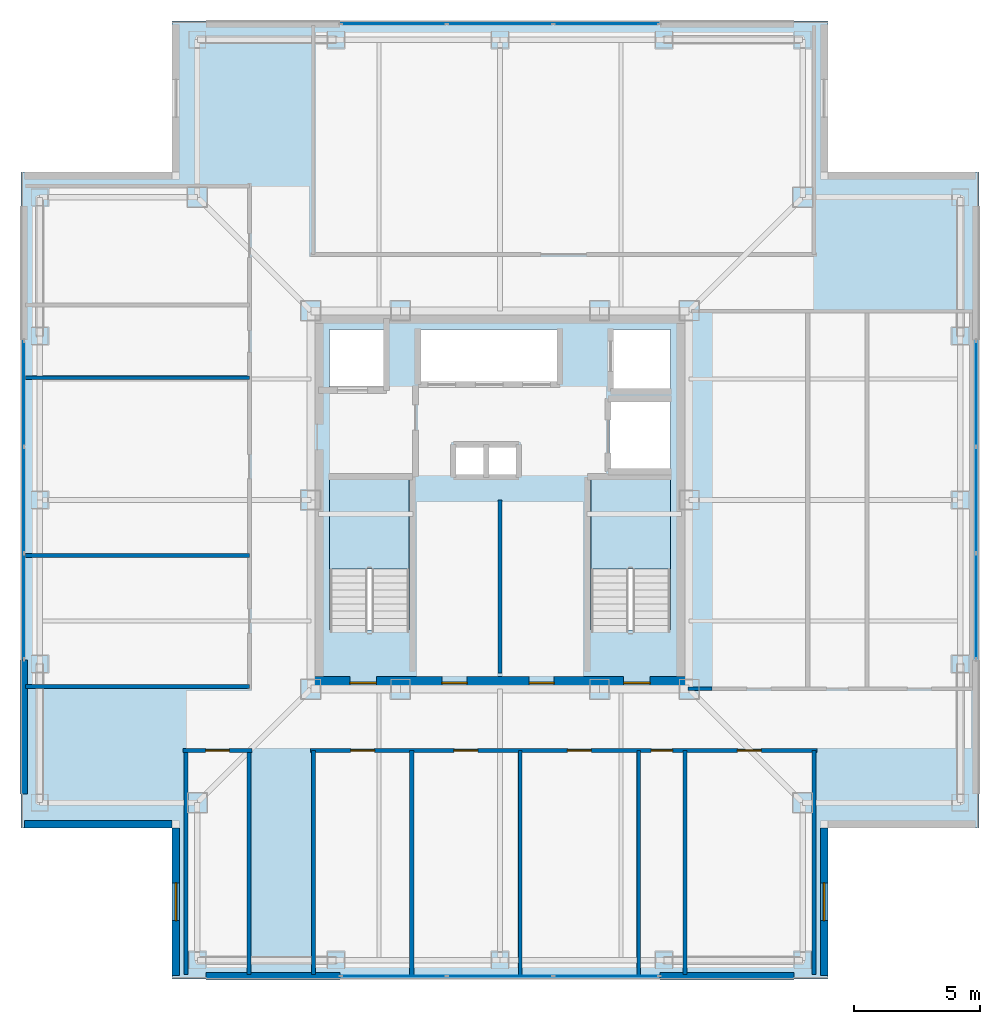
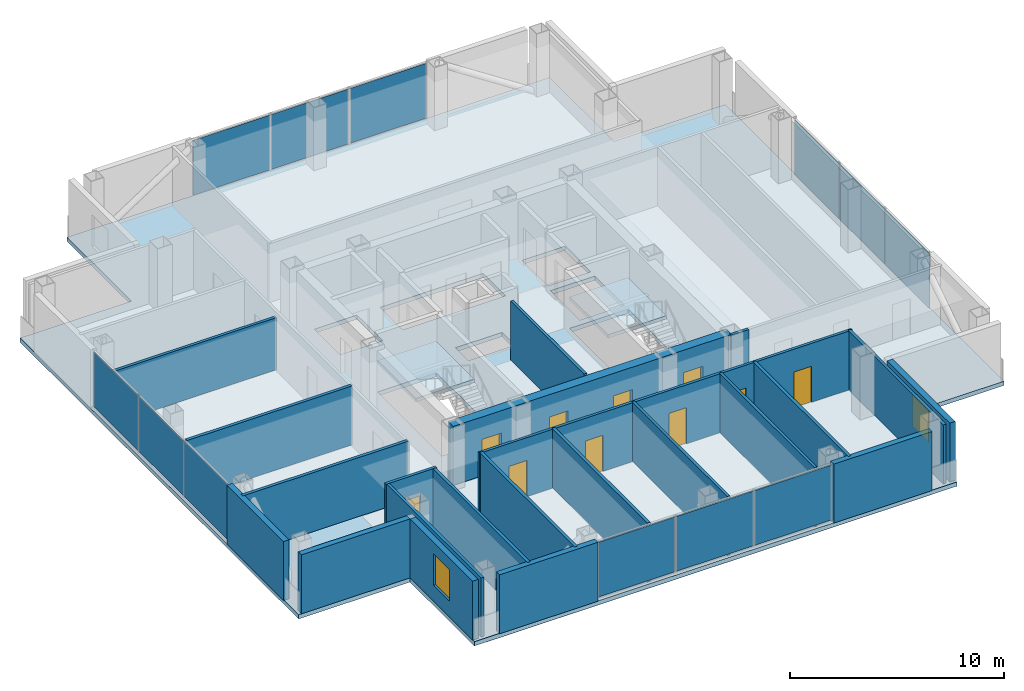
# One storey, part 8 of 16: 22 walls, 12 plates, 10 doors, 3 slabs, 2 windows, 12 openings, 6 elements without a shape of their own.
"""IFC4 building model written with IfcOpenShell, lengths in metres."""

from ifc_helpers import new_model, si_unit, direction, frame, frame_2d, origin, origin_2d, place, context, subcontext, project, spatial, polyline, rectangle, outline, extrude, material, layer, layer_set, type_object, element, fill, aggregate, save


model = new_model("IFC4")

# Units and contexts
model_context = context("Model", 3, precision=1e-05, world=origin(), true_north=direction((0.0, 1.0)))
body_context = subcontext(model_context, "Body", "Model", "MODEL_VIEW")
ifc_project = project(units=[si_unit("LENGTHUNIT", "METRE"), si_unit("AREAUNIT", "SQUARE_METRE"), si_unit("VOLUMEUNIT", "CUBIC_METRE"), si_unit("PLANEANGLEUNIT", "RADIAN"), si_unit("MASSUNIT", "GRAM", prefix="KILO")], contexts=[model_context])

# Site, building, storey
site_placement = place(None, origin())
site = spatial("IfcSite", under=ifc_project, at=site_placement, CompositionType="ELEMENT")
building_placement = place(site_placement, origin())
building = spatial("IfcBuilding", under=site, at=building_placement, Name="Trevonay Congress Spire", CompositionType="ELEMENT")
storey_placement = place(building_placement, frame((0.0, 0.0, 290.0)))
storey = spatial("IfcBuildingStorey", under=building, at=storey_placement, Name="L76", CompositionType="ELEMENT", Elevation=290.0)

# Curtain wall, plates
ifc_material_1 = material(Name="Pale Anodised Aluminium EN AW-6063-T6", Category="aluminium")
ifc_layer_1 = layer(ifc_material_1, 0.1650390625, Name="Pale Anodised Aluminium EN AW-6063-T6")
ifc_layer_set_1 = layer_set([ifc_layer_1], Name="Pale Anodised Aluminium EN AW-6063-T6")
curtain_wall_type = type_object("IfcCurtainWallType", Name="CW-SYS05-DIPLOM-PALE-METAL", PredefinedType="NOTDEFINED", material=ifc_layer_set_1)
curtain_wall_1_placement = place(storey_placement, origin())
curtain_wall_1 = element("IfcCurtainWall", 1, at=curtain_wall_1_placement, inside=storey, type_object=curtain_wall_type, Name="L76 S unitised curtain wall", PredefinedType="NOTDEFINED")
ifc_material_2 = material(Name="Insulated Low-E Vision Glass IGU", Category="glass")
ifc_layer_2 = layer(ifc_material_2, 0.035888671875, Name="Insulated Low-E Vision Glass IGU")
ifc_layer_set_2 = layer_set([ifc_layer_2], Name="Insulated Low-E Vision Glass IGU")
plate_type = type_object("IfcPlateType", Name="CW-PANEL-IGU36-SILVER", PredefinedType="CURTAIN_PANEL", material=ifc_layer_set_2)
plate_1_placement = place(storey_placement, frame((-4.21826171875, -18.8798828125, 0.119873046875), z_axis=(0.0, 0.0, 1.0), x_axis=(1.0, 0.0, 0.0)))
plate_1 = element("IfcPlate", 2, at=plate_1_placement, type_object=plate_type, Name="CW05 panel 1.1", PredefinedType="CURTAIN_PANEL", context=body_context, shape_type="SweptSolid", body=[
    extrude(rectangle(XDim=4.143310546875, YDim=0.035888671875, at=origin_2d()), origin(), (0.0, 0.0, 1.0), 3.1201171875),
])
plate_2_placement = place(storey_placement, frame((0.0, -18.8798828125, 0.119873046875), z_axis=(0.0, 0.0, 1.0), x_axis=(1.0, 0.0, 0.0)))
plate_2 = element("IfcPlate", 3, at=plate_2_placement, type_object=plate_type, Name="CW05 panel 2.1", PredefinedType="CURTAIN_PANEL", context=body_context, shape_type="SweptSolid", body=[
    extrude(rectangle(XDim=4.17333984375, YDim=0.035888671875, at=origin_2d()), origin(), (0.0, 0.0, 1.0), 3.1201171875),
])
plate_3_placement = place(storey_placement, frame((4.21826171875, -18.8798828125, 0.119873046875), z_axis=(0.0, 0.0, 1.0), x_axis=(1.0, 0.0, 0.0)))
plate_3 = element("IfcPlate", 4, at=plate_3_placement, type_object=plate_type, Name="CW05 panel 3.1", PredefinedType="CURTAIN_PANEL", context=body_context, shape_type="SweptSolid", body=[
    extrude(rectangle(XDim=4.143310546875, YDim=0.035888671875, at=origin_2d()), origin(), (0.0, 0.0, 1.0), 3.1201171875),
])
aggregate(curtain_wall_1, [plate_1, plate_2, plate_3])

curtain_wall_2_placement = place(storey_placement, origin())
curtain_wall_2 = element("IfcCurtainWall", 5, at=curtain_wall_2_placement, inside=storey, type_object=curtain_wall_type, Name="L76 N unitised curtain wall", PredefinedType="NOTDEFINED")
plate_4_placement = place(storey_placement, frame((-4.21826171875, 18.8798828125, 0.119873046875), z_axis=(0.0, 0.0, 1.0), x_axis=(1.0, 0.0, 0.0)))
plate_4 = element("IfcPlate", 6, at=plate_4_placement, type_object=plate_type, Name="CW05 panel 1.1", PredefinedType="CURTAIN_PANEL", context=body_context, shape_type="SweptSolid", body=[
    extrude(rectangle(XDim=4.143310546875, YDim=0.035888671875, at=origin_2d()), origin(), (0.0, 0.0, 1.0), 3.1201171875),
])
plate_5_placement = place(storey_placement, frame((0.0, 18.8798828125, 0.119873046875), z_axis=(0.0, 0.0, 1.0), x_axis=(1.0, 0.0, 0.0)))
plate_5 = element("IfcPlate", 7, at=plate_5_placement, type_object=plate_type, Name="CW05 panel 2.1", PredefinedType="CURTAIN_PANEL", context=body_context, shape_type="SweptSolid", body=[
    extrude(rectangle(XDim=4.17333984375, YDim=0.035888671875, at=origin_2d()), origin(), (0.0, 0.0, 1.0), 3.1201171875),
])
plate_6_placement = place(storey_placement, frame((4.21826171875, 18.8798828125, 0.119873046875), z_axis=(0.0, 0.0, 1.0), x_axis=(1.0, 0.0, 0.0)))
plate_6 = element("IfcPlate", 8, at=plate_6_placement, type_object=plate_type, Name="CW05 panel 3.1", PredefinedType="CURTAIN_PANEL", context=body_context, shape_type="SweptSolid", body=[
    extrude(rectangle(XDim=4.143310546875, YDim=0.035888671875, at=origin_2d()), origin(), (0.0, 0.0, 1.0), 3.1201171875),
])
aggregate(curtain_wall_2, [plate_4, plate_5, plate_6])

curtain_wall_3_placement = place(storey_placement, origin())
curtain_wall_3 = element("IfcCurtainWall", 9, at=curtain_wall_3_placement, inside=storey, type_object=curtain_wall_type, Name="L76 W unitised curtain wall", PredefinedType="NOTDEFINED")
plate_7_placement = place(storey_placement, frame((-18.8798828125, -4.21826171875, 0.119873046875), z_axis=(0.0, 0.0, 1.0), x_axis=(0.0, 1.0, 0.0)))
plate_7 = element("IfcPlate", 10, at=plate_7_placement, type_object=plate_type, Name="CW05 panel 1.1", PredefinedType="CURTAIN_PANEL", context=body_context, shape_type="SweptSolid", body=[
    extrude(rectangle(XDim=4.143310546875, YDim=0.035888671875, at=origin_2d()), origin(), (0.0, 0.0, 1.0), 3.1201171875),
])
plate_8_placement = place(storey_placement, frame((-18.8798828125, 0.0, 0.119873046875), z_axis=(0.0, 0.0, 1.0), x_axis=(0.0, 1.0, 0.0)))
plate_8 = element("IfcPlate", 11, at=plate_8_placement, type_object=plate_type, Name="CW05 panel 2.1", PredefinedType="CURTAIN_PANEL", context=body_context, shape_type="SweptSolid", body=[
    extrude(rectangle(XDim=4.17333984375, YDim=0.035888671875, at=origin_2d()), origin(), (0.0, 0.0, 1.0), 3.1201171875),
])
plate_9_placement = place(storey_placement, frame((-18.8798828125, 4.21826171875, 0.119873046875), z_axis=(0.0, 0.0, 1.0), x_axis=(0.0, 1.0, 0.0)))
plate_9 = element("IfcPlate", 12, at=plate_9_placement, type_object=plate_type, Name="CW05 panel 3.1", PredefinedType="CURTAIN_PANEL", context=body_context, shape_type="SweptSolid", body=[
    extrude(rectangle(XDim=4.143310546875, YDim=0.035888671875, at=origin_2d()), origin(), (0.0, 0.0, 1.0), 3.1201171875),
])
aggregate(curtain_wall_3, [plate_7, plate_8, plate_9])

curtain_wall_4_placement = place(storey_placement, origin())
curtain_wall_4 = element("IfcCurtainWall", 13, at=curtain_wall_4_placement, inside=storey, type_object=curtain_wall_type, Name="L76 E unitised curtain wall", PredefinedType="NOTDEFINED")
plate_10_placement = place(storey_placement, frame((18.8798828125, -4.21826171875, 0.119873046875), z_axis=(0.0, 0.0, 1.0), x_axis=(0.0, 1.0, 0.0)))
plate_10 = element("IfcPlate", 14, at=plate_10_placement, type_object=plate_type, Name="CW05 panel 1.1", PredefinedType="CURTAIN_PANEL", context=body_context, shape_type="SweptSolid", body=[
    extrude(rectangle(XDim=4.143310546875, YDim=0.035888671875, at=origin_2d()), origin(), (0.0, 0.0, 1.0), 3.1201171875),
])
plate_11_placement = place(storey_placement, frame((18.8798828125, 0.0, 0.119873046875), z_axis=(0.0, 0.0, 1.0), x_axis=(0.0, 1.0, 0.0)))
plate_11 = element("IfcPlate", 15, at=plate_11_placement, type_object=plate_type, Name="CW05 panel 2.1", PredefinedType="CURTAIN_PANEL", context=body_context, shape_type="SweptSolid", body=[
    extrude(rectangle(XDim=4.17333984375, YDim=0.035888671875, at=origin_2d()), origin(), (0.0, 0.0, 1.0), 3.1201171875),
])
plate_12_placement = place(storey_placement, frame((18.8798828125, 4.21826171875, 0.119873046875), z_axis=(0.0, 0.0, 1.0), x_axis=(0.0, 1.0, 0.0)))
plate_12 = element("IfcPlate", 16, at=plate_12_placement, type_object=plate_type, Name="CW05 panel 3.1", PredefinedType="CURTAIN_PANEL", context=body_context, shape_type="SweptSolid", body=[
    extrude(rectangle(XDim=4.143310546875, YDim=0.035888671875, at=origin_2d()), origin(), (0.0, 0.0, 1.0), 3.1201171875),
])
aggregate(curtain_wall_4, [plate_10, plate_11, plate_12])

# Stair, slab
ifc_material_3 = material(Name="Concrete C40/50", Category="concrete")
stair_type_1 = type_object("IfcStairType", Name="STR-ST-1", PredefinedType="HALF_TURN_STAIR", material=ifc_material_3)
stair_1_placement = place(storey_placement, origin())
stair_1 = element("IfcStair", 17, at=stair_1_placement, inside=storey, type_object=stair_type_1, Name="L76 Protected Exit Stair ST-1", PredefinedType="HALF_TURN_STAIR")
ifc_layer_3 = layer(ifc_material_3, 0.199951171875, Name="Concrete C40/50")
ifc_layer_set_3 = layer_set([ifc_layer_3], Name="Concrete C40/50")
slab_type_1 = type_object("IfcSlabType", Name="SLB-STAIR-LAND-200", PredefinedType="LANDING", material=ifc_layer_set_3)
slab_1_placement = place(storey_placement, frame((0.0, 0.0, 1.60009765625)))
slab_1 = element("IfcSlab", 18, at=slab_1_placement, type_object=slab_type_1, Name="ST-1 landing 1", PredefinedType="LANDING", context=body_context, shape_type="SweptSolid", body=[
    extrude(outline(polyline([(-3.60009765625, -2.72998046875), (-3.60009765625, 0.85009765625), (-6.75, 0.85009765625), (-6.75, -2.72998046875), (-3.60009765625, -2.72998046875)])), origin(), (0.0, 0.0, 1.0), 0.199951171875),
])
aggregate(stair_1, [slab_1])

stair_type_2 = type_object("IfcStairType", Name="STR-ST-2", PredefinedType="HALF_TURN_STAIR", material=ifc_material_3)
stair_2_placement = place(storey_placement, origin())
stair_2 = element("IfcStair", 19, at=stair_2_placement, inside=storey, type_object=stair_type_2, Name="L76 Protected Exit Stair ST-2", PredefinedType="HALF_TURN_STAIR")
slab_2_placement = place(storey_placement, frame((0.0, 0.0, 1.60009765625)))
slab_2 = element("IfcSlab", 20, at=slab_2_placement, type_object=slab_type_1, Name="ST-2 landing 1", PredefinedType="LANDING", context=body_context, shape_type="SweptSolid", body=[
    extrude(outline(polyline([(6.75, -2.72998046875), (6.75, 0.85009765625), (3.60009765625, 0.85009765625), (3.60009765625, -2.72998046875), (6.75, -2.72998046875)])), origin(), (0.0, 0.0, 1.0), 0.199951171875),
])
aggregate(stair_2, [slab_2])

# Slab
ifc_layer_4 = layer(ifc_material_3, 0.239990234375, Name="Concrete C40/50")
ifc_layer_set_4 = layer_set([ifc_layer_4], Name="Concrete C40/50")
slab_type_2 = type_object("IfcSlabType", Name="SLB-TOW2-240", PredefinedType="FLOOR", material=ifc_layer_set_4)
slab_3_placement = place(storey_placement, frame((0.0, 0.0, -0.239990234375)))
element("IfcSlab", 21, at=slab_3_placement, inside=storey, type_object=slab_type_2, Name="L76 structural floor slab", PredefinedType="FLOOR", context=body_context, shape_type="SweptSolid", body=[
    extrude(outline(polyline([(-13.0, -19.0), (13.0, -19.0), (13.0, -13.0), (19.0, -13.0), (19.0, 13.0), (13.0, 13.0), (13.0, 19.0), (-13.0, 19.0), (-13.0, 13.0), (-19.0, 13.0), (-19.0, -13.0), (-13.0, -13.0), (-13.0, -19.0)]), holes=[polyline([(-3.60009765625, -5.14990234375), (-3.60009765625, 0.85009765625), (-6.75, 0.85009765625), (-6.75, -5.14990234375), (-3.60009765625, -5.14990234375)]), polyline([(6.75, -5.14990234375), (6.75, 0.85009765625), (3.60009765625, 0.85009765625), (3.60009765625, -5.14990234375), (6.75, -5.14990234375)]), polyline([(-3.199951171875, 4.64990234375), (2.340087890625, 4.64990234375), (2.340087890625, 6.75), (-3.199951171875, 6.75), (-3.199951171875, 4.64990234375)]), polyline([(-6.75, 4.35009765625), (-4.449951171875, 4.35009765625), (-4.449951171875, 6.75), (-6.75, 6.75), (-6.75, 4.35009765625)]), polyline([(4.449951171875, 4.35009765625), (6.75, 4.35009765625), (6.75, 6.75), (4.449951171875, 6.75), (4.449951171875, 4.35009765625)]), polyline([(4.35009765625, 1.199951171875), (6.75, 1.199951171875), (6.75, 3.949951171875), (4.35009765625, 3.949951171875), (4.35009765625, 1.199951171875)]), polyline([(-1.800048828125, 0.949951171875), (0.699951171875, 0.949951171875), (0.699951171875, 2.14990234375), (-1.800048828125, 2.14990234375), (-1.800048828125, 0.949951171875)])]), origin(), (0.0, 0.0, 1.0), 0.239990234375),
])

# Wall, openings, doors
ifc_material_4 = material(Name="Concrete C50/60", Category="concrete")
ifc_layer_5 = layer(ifc_material_4, 0.5, Name="Concrete C50/60")
ifc_layer_set_5 = layer_set([ifc_layer_5], Name="Concrete C50/60")
wall_type_1 = type_object("IfcWallType", Name="WAL-CORE-500", PredefinedType="SHEAR", material=ifc_layer_set_5)
wall_1_placement = place(storey_placement, frame((-7.5, -7.25, 0.0), z_axis=(0.0, 0.0, 1.0), x_axis=(1.0, 0.0, 0.0)))
wall_1 = element("IfcWall", 22, at=wall_1_placement, inside=storey, type_object=wall_type_1, Name="L76 South structural core shear wall", PredefinedType="SHEAR", context=body_context, shape_type="SweptSolid", body=[
    extrude(rectangle(XDim=15.0, YDim=0.5, at=frame_2d((7.5, 0.0))), origin(), (0.0, 0.0, 1.0), 3.360107421875),
])
opening_1_placement = place(wall_1_placement, frame((1.550048828125, 0.0, 0.0)))
opening_1 = element("IfcOpeningElement", 23, at=opening_1_placement, cuts=wall_1, Name="Opening D05", PredefinedType="OPENING", context=body_context, shape_type="SweptSolid", body=[
    extrude(rectangle(XDim=1.050048828125, YDim=2.080078125, at=frame_2d((0.52490234375, 1.0400390625))), frame((0.0, 0.260009765625, 0.0), z_axis=(0.0, -1.0, 0.0), x_axis=(1.0, 0.0, 0.0)), (0.0, 0.0, 1.0), 0.52001953125),
])
opening_2_placement = place(wall_1_placement, frame((12.39990234375, 0.0, 0.0)))
opening_2 = element("IfcOpeningElement", 24, at=opening_2_placement, cuts=wall_1, Name="Opening D05", PredefinedType="OPENING", context=body_context, shape_type="SweptSolid", body=[
    extrude(rectangle(XDim=1.050048828125, YDim=2.080078125, at=frame_2d((0.52490234375, 1.0400390625))), frame((0.0, 0.260009765625, 0.0), z_axis=(0.0, -1.0, 0.0), x_axis=(1.0, 0.0, 0.0)), (0.0, 0.0, 1.0), 0.52001953125),
])
opening_3_placement = place(wall_1_placement, frame((5.199951171875, 0.0, 0.0)))
opening_3 = element("IfcOpeningElement", 25, at=opening_3_placement, cuts=wall_1, Name="Opening D06", PredefinedType="OPENING", context=body_context, shape_type="SweptSolid", body=[
    extrude(rectangle(XDim=1.0, YDim=2.080078125, at=frame_2d((0.5, 1.0400390625))), frame((0.0, 0.260009765625, 0.0), z_axis=(0.0, -1.0, 0.0), x_axis=(1.0, 0.0, 0.0)), (0.0, 0.0, 1.0), 0.52001953125),
])
opening_4_placement = place(wall_1_placement, frame((8.64990234375, 0.0, 0.0)))
opening_4 = element("IfcOpeningElement", 26, at=opening_4_placement, cuts=wall_1, Name="Opening D06", PredefinedType="OPENING", context=body_context, shape_type="SweptSolid", body=[
    extrude(rectangle(XDim=1.0, YDim=2.080078125, at=frame_2d((0.5, 1.0400390625))), frame((0.0, 0.260009765625, 0.0), z_axis=(0.0, -1.0, 0.0), x_axis=(1.0, 0.0, 0.0)), (0.0, 0.0, 1.0), 0.52001953125),
])
ifc_material_5 = material(Name="Steel ASTM A572 Grade 50", Category="steel")
door_type_1 = type_object("IfcDoorType", Name="DOR-FIRE-100", OperationType="NOTDEFINED", PredefinedType="DOOR", material=ifc_material_5)
door_1_placement = place(opening_3_placement, origin())
door_1 = element("IfcDoor", 27, at=door_1_placement, inside=storey, type_object=door_type_1, Name="L76 South Core Room 1 Door", OperationType="SINGLE_SWING_RIGHT", OverallHeight=2.080078125, OverallWidth=1.0, PredefinedType="DOOR", context=body_context, shape_type="SweptSolid", body=[
    extrude(rectangle(XDim=1.0, YDim=2.080078125, at=frame_2d((0.5, 1.0400390625))), frame((0.0, 0.02490234375, 0.0), z_axis=(0.0, -1.0, 0.0), x_axis=(1.0, 0.0, 0.0)), (0.0, 0.0, 1.0), 0.050048828125),
])
fill(opening_3, door_1)
door_2_placement = place(opening_4_placement, origin())
door_2 = element("IfcDoor", 28, at=door_2_placement, inside=storey, type_object=door_type_1, Name="L76 South Core Room 2 Door", OperationType="SINGLE_SWING_LEFT", OverallHeight=2.080078125, OverallWidth=1.0, PredefinedType="DOOR", context=body_context, shape_type="SweptSolid", body=[
    extrude(rectangle(XDim=1.0, YDim=2.080078125, at=frame_2d((0.5, 1.0400390625))), frame((0.0, 0.02490234375, 0.0), z_axis=(0.0, -1.0, 0.0), x_axis=(1.0, 0.0, 0.0)), (0.0, 0.0, 1.0), 0.050048828125),
])
fill(opening_4, door_2)
door_type_2 = type_object("IfcDoorType", Name="DOR-STAIR-110", OperationType="NOTDEFINED", PredefinedType="DOOR", material=ifc_material_5)
door_3_placement = place(opening_1_placement, origin())
door_3 = element("IfcDoor", 29, at=door_3_placement, inside=storey, type_object=door_type_2, Name="L76 Protected Stair ST-1 Door", OperationType="SINGLE_SWING_LEFT", OverallHeight=2.080078125, OverallWidth=1.050048828125, PredefinedType="DOOR", context=body_context, shape_type="SweptSolid", body=[
    extrude(rectangle(XDim=1.050048828125, YDim=2.080078125, at=frame_2d((0.52490234375, 1.0400390625))), frame((0.0, 0.02490234375, 0.0), z_axis=(0.0, -1.0, 0.0), x_axis=(1.0, 0.0, 0.0)), (0.0, 0.0, 1.0), 0.050048828125),
])
fill(opening_1, door_3)
door_4_placement = place(opening_2_placement, origin())
door_4 = element("IfcDoor", 30, at=door_4_placement, inside=storey, type_object=door_type_2, Name="L76 Protected Stair ST-2 Door", OperationType="SINGLE_SWING_RIGHT", OverallHeight=2.080078125, OverallWidth=1.050048828125, PredefinedType="DOOR", context=body_context, shape_type="SweptSolid", body=[
    extrude(rectangle(XDim=1.050048828125, YDim=2.080078125, at=frame_2d((0.52490234375, 1.0400390625))), frame((0.0, 0.02490234375, 0.0), z_axis=(0.0, -1.0, 0.0), x_axis=(1.0, 0.0, 0.0)), (0.0, 0.0, 1.0), 0.050048828125),
])
fill(opening_2, door_4)

# Wall, opening, door
ifc_layer_6 = layer(ifc_material_3, 0.14990234375, Name="Concrete C40/50")
ifc_layer_set_6 = layer_set([ifc_layer_6], Name="Concrete C40/50")
wall_type_2 = type_object("IfcWallType", Name="WAL-CORR-150", PredefinedType="PARTITIONING", material=ifc_layer_set_6)
wall_2_placement = place(storey_placement, frame((-12.570068359375, -9.929931640625, 0.0), z_axis=(0.0, 0.0, 1.0), x_axis=(1.0, 0.0, 0.0)))
wall_2 = element("IfcWall", 31, at=wall_2_placement, inside=storey, type_object=wall_type_2, Name="L76 interior wall WP-L76SW-COR", PredefinedType="PARTITIONING", context=body_context, shape_type="SweptSolid", body=[
    extrude(rectangle(XDim=2.739990234375, YDim=0.14990234375, at=frame_2d((1.3701171875, 0.0))), origin(), (0.0, 0.0, 1.0), 3.360107421875),
])
opening_5_placement = place(wall_2_placement, frame((0.89501953125, 0.0, 0.0)))
opening_5 = element("IfcOpeningElement", 32, at=opening_5_placement, cuts=wall_2, Name="Opening D07", PredefinedType="OPENING", context=body_context, shape_type="SweptSolid", body=[
    extrude(rectangle(XDim=0.949951171875, YDim=2.06005859375, at=frame_2d((0.47509765625, 1.030029296875))), frame((0.0, 0.0849609375, 0.0), z_axis=(0.0, -1.0, 0.0), x_axis=(1.0, 0.0, 0.0)), (0.0, 0.0, 1.0), 0.169921875),
])
door_type_3 = type_object("IfcDoorType", Name="DOR-OFFICE-95", OperationType="NOTDEFINED", PredefinedType="DOOR", material=ifc_material_1)
door_5_placement = place(opening_5_placement, origin())
door_5 = element("IfcDoor", 33, at=door_5_placement, inside=storey, type_object=door_type_3, Name="L76 Forum Director Corner Office Door", OperationType="SINGLE_SWING_LEFT", OverallHeight=2.06005859375, OverallWidth=0.949951171875, PredefinedType="DOOR", context=body_context, shape_type="SweptSolid", body=[
    extrude(rectangle(XDim=0.949951171875, YDim=2.06005859375, at=frame_2d((0.47509765625, 1.030029296875))), frame((0.0, 0.02490234375, 0.0), z_axis=(0.0, -1.0, 0.0), x_axis=(1.0, 0.0, 0.0)), (0.0, 0.0, 1.0), 0.050048828125),
])
fill(opening_5, door_5)

# Wall, openings, doors
wall_3_placement = place(storey_placement, frame((-7.52001953125, -9.929931640625, 0.0), z_axis=(0.0, 0.0, 1.0), x_axis=(1.0, 0.0, 0.0)))
wall_3 = element("IfcWall", 34, at=wall_3_placement, inside=storey, type_object=wall_type_2, Name="L76 interior wall WP-L76SE-COR", PredefinedType="PARTITIONING", context=body_context, shape_type="SweptSolid", body=[
    extrude(rectangle(XDim=20.090087890625, YDim=0.14990234375, at=frame_2d((10.044921875, 0.0))), origin(), (0.0, 0.0, 1.0), 3.360107421875),
])
opening_6_placement = place(wall_3_placement, frame((1.594970703125, 0.0, 0.0)))
opening_6 = element("IfcOpeningElement", 35, at=opening_6_placement, cuts=wall_3, Name="Opening D07", PredefinedType="OPENING", context=body_context, shape_type="SweptSolid", body=[
    extrude(rectangle(XDim=0.949951171875, YDim=2.06005859375, at=frame_2d((0.47509765625, 1.030029296875))), frame((0.0, 0.0849609375, 0.0), z_axis=(0.0, -1.0, 0.0), x_axis=(1.0, 0.0, 0.0)), (0.0, 0.0, 1.0), 0.169921875),
])
opening_7_placement = place(wall_3_placement, frame((5.695068359375, 0.0, 0.0)))
opening_7 = element("IfcOpeningElement", 36, at=opening_7_placement, cuts=wall_3, Name="Opening D07", PredefinedType="OPENING", context=body_context, shape_type="SweptSolid", body=[
    extrude(rectangle(XDim=0.949951171875, YDim=2.06005859375, at=frame_2d((0.47509765625, 1.030029296875))), frame((0.0, 0.0849609375, 0.0), z_axis=(0.0, -1.0, 0.0), x_axis=(1.0, 0.0, 0.0)), (0.0, 0.0, 1.0), 0.169921875),
])
opening_8_placement = place(wall_3_placement, frame((10.195068359375, 0.0, 0.0)))
opening_8 = element("IfcOpeningElement", 37, at=opening_8_placement, cuts=wall_3, Name="Opening D07", PredefinedType="OPENING", context=body_context, shape_type="SweptSolid", body=[
    extrude(rectangle(XDim=0.949951171875, YDim=2.06005859375, at=frame_2d((0.47509765625, 1.030029296875))), frame((0.0, 0.0849609375, 0.0), z_axis=(0.0, -1.0, 0.0), x_axis=(1.0, 0.0, 0.0)), (0.0, 0.0, 1.0), 0.169921875),
])
opening_9_placement = place(wall_3_placement, frame((13.510009765625, 0.0, 0.0)))
opening_9 = element("IfcOpeningElement", 38, at=opening_9_placement, cuts=wall_3, Name="Opening D10", PredefinedType="OPENING", context=body_context, shape_type="SweptSolid", body=[
    extrude(rectangle(XDim=0.85009765625, YDim=2.050048828125, at=frame_2d((0.425048828125, 1.02490234375))), frame((0.0, 0.0849609375, 0.0), z_axis=(0.0, -1.0, 0.0), x_axis=(1.0, 0.0, 0.0)), (0.0, 0.0, 1.0), 0.169921875),
])
opening_10_placement = place(wall_3_placement, frame((16.93505859375, 0.0, 0.0)))
opening_10 = element("IfcOpeningElement", 39, at=opening_10_placement, cuts=wall_3, Name="Opening D07", PredefinedType="OPENING", context=body_context, shape_type="SweptSolid", body=[
    extrude(rectangle(XDim=0.949951171875, YDim=2.06005859375, at=frame_2d((0.47509765625, 1.030029296875))), frame((0.0, 0.0849609375, 0.0), z_axis=(0.0, -1.0, 0.0), x_axis=(1.0, 0.0, 0.0)), (0.0, 0.0, 1.0), 0.169921875),
])
door_6_placement = place(opening_6_placement, origin())
door_6 = element("IfcDoor", 40, at=door_6_placement, inside=storey, type_object=door_type_3, Name="L76 Ocean Engineering Office 1 Door", OperationType="SINGLE_SWING_RIGHT", OverallHeight=2.06005859375, OverallWidth=0.949951171875, PredefinedType="DOOR", context=body_context, shape_type="SweptSolid", body=[
    extrude(rectangle(XDim=0.949951171875, YDim=2.06005859375, at=frame_2d((0.47509765625, 1.030029296875))), frame((0.0, 0.02490234375, 0.0), z_axis=(0.0, -1.0, 0.0), x_axis=(1.0, 0.0, 0.0)), (0.0, 0.0, 1.0), 0.050048828125),
])
fill(opening_6, door_6)
door_7_placement = place(opening_7_placement, origin())
door_7 = element("IfcDoor", 41, at=door_7_placement, inside=storey, type_object=door_type_3, Name="L76 Naval Architecture Office 2 Door", OperationType="SINGLE_SWING_LEFT", OverallHeight=2.06005859375, OverallWidth=0.949951171875, PredefinedType="DOOR", context=body_context, shape_type="SweptSolid", body=[
    extrude(rectangle(XDim=0.949951171875, YDim=2.06005859375, at=frame_2d((0.47509765625, 1.030029296875))), frame((0.0, 0.02490234375, 0.0), z_axis=(0.0, -1.0, 0.0), x_axis=(1.0, 0.0, 0.0)), (0.0, 0.0, 1.0), 0.050048828125),
])
fill(opening_7, door_7)
door_8_placement = place(opening_8_placement, origin())
door_8 = element("IfcDoor", 42, at=door_8_placement, inside=storey, type_object=door_type_3, Name="L76 Port Automation Office 3 Door", OperationType="SINGLE_SWING_RIGHT", OverallHeight=2.06005859375, OverallWidth=0.949951171875, PredefinedType="DOOR", context=body_context, shape_type="SweptSolid", body=[
    extrude(rectangle(XDim=0.949951171875, YDim=2.06005859375, at=frame_2d((0.47509765625, 1.030029296875))), frame((0.0, 0.02490234375, 0.0), z_axis=(0.0, -1.0, 0.0), x_axis=(1.0, 0.0, 0.0)), (0.0, 0.0, 1.0), 0.050048828125),
])
fill(opening_8, door_8)
door_9_placement = place(opening_10_placement, origin())
door_9 = element("IfcDoor", 43, at=door_9_placement, inside=storey, type_object=door_type_3, Name="L76 Floor Supplies and Copy Room Door", OperationType="SINGLE_SWING_RIGHT", OverallHeight=2.06005859375, OverallWidth=0.949951171875, PredefinedType="DOOR", context=body_context, shape_type="SweptSolid", body=[
    extrude(rectangle(XDim=0.949951171875, YDim=2.06005859375, at=frame_2d((0.47509765625, 1.030029296875))), frame((0.0, 0.02490234375, 0.0), z_axis=(0.0, -1.0, 0.0), x_axis=(1.0, 0.0, 0.0)), (0.0, 0.0, 1.0), 0.050048828125),
])
fill(opening_10, door_9)
door_type_4 = type_object("IfcDoorType", Name="DOR-WC-85", OperationType="NOTDEFINED", PredefinedType="DOOR", material=ifc_material_1)
door_10_placement = place(opening_9_placement, origin())
door_10 = element("IfcDoor", 44, at=door_10_placement, inside=storey, type_object=door_type_4, Name="L76 Accessible WC Door", OperationType="SINGLE_SWING_LEFT", OverallHeight=2.050048828125, OverallWidth=0.85009765625, PredefinedType="DOOR", context=body_context, shape_type="SweptSolid", body=[
    extrude(rectangle(XDim=0.85009765625, YDim=2.050048828125, at=frame_2d((0.425048828125, 1.02490234375))), frame((0.0, 0.02490234375, 0.0), z_axis=(0.0, -1.0, 0.0), x_axis=(1.0, 0.0, 0.0)), (0.0, 0.0, 1.0), 0.050048828125),
])
fill(opening_9, door_10)

# Walls
wall_4_placement = place(storey_placement, frame((7.449951171875, -7.47998046875, 0.0), z_axis=(0.0, 0.0, 1.0), x_axis=(1.0, 0.0, 0.0)))
element("IfcWall", 45, at=wall_4_placement, inside=storey, type_object=wall_type_2, Name="L76 interior wall WP-L76E-STUB", PredefinedType="PARTITIONING", context=body_context, shape_type="SweptSolid", body=[
    extrude(rectangle(XDim=0.949951171875, YDim=0.14990234375, at=frame_2d((0.47509765625, 0.0))), origin(), (0.0, 0.0, 1.0), 3.360107421875),
])
ifc_material_6 = material(Name="Precast concrete C40/50", Category="concrete")
ifc_layer_7 = layer(ifc_material_6, 0.300048828125, Name="Precast concrete C40/50")
ifc_layer_set_7 = layer_set([ifc_layer_7], Name="Precast concrete C40/50")
wall_type_3 = type_object("IfcWallType", Name="WAL-EXT-PRECAST-300", PredefinedType="SOLIDWALL", material=ifc_layer_set_7)
for number, where, z_axis, x_axis, name in (
    (46, (-11.64990234375, -18.8798828125, 0.0), (0.0, 0.0, 1.0), (1.0, 0.0, 0.0), "L76 SL braced-bay exterior pier wall"),
    (47, (6.35009765625, -18.8798828125, 0.0), (0.0, 0.0, 1.0), (1.0, 0.0, 0.0), "L76 SR braced-bay exterior pier wall"),
    (48, (-18.8798828125, -11.64990234375, 0.0), (0.0, 0.0, 1.0), (0.0, 1.0, 0.0), "L76 WL braced-bay exterior pier wall"),
):
    element("IfcWall", number, at=place(storey_placement, frame(where, z_axis=z_axis, x_axis=x_axis)), inside=storey, type_object=wall_type_3, Name=name, PredefinedType="SOLIDWALL", context=body_context, shape_type="SweptSolid", body=[
        extrude(rectangle(XDim=5.2998046875, YDim=0.300048828125, at=frame_2d((2.64990234375, 0.0))), origin(), (0.0, 0.0, 1.0), 3.360107421875),
    ])

# Wall, opening, window
wall_5_placement = place(storey_placement, frame((-12.85009765625, -18.85009765625, 0.0), z_axis=(0.0, 0.0, 1.0), x_axis=(0.0, 1.0, 0.0)))
wall_5 = element("IfcWall", 49, at=wall_5_placement, inside=storey, type_object=wall_type_3, Name="L76 SW re-entrant notch exterior wall 1", PredefinedType="SOLIDWALL", context=body_context, shape_type="SweptSolid", body=[
    extrude(rectangle(XDim=5.85009765625, YDim=0.300048828125, at=frame_2d((2.925048828125, 0.0))), origin(), (0.0, 0.0, 1.0), 3.360107421875),
])
opening_11_placement = place(wall_5_placement, frame((2.175048828125, 0.0, 0.89990234375)))
opening_11 = element("IfcOpeningElement", 50, at=opening_11_placement, cuts=wall_5, Name="Opening WN03", PredefinedType="OPENING", context=body_context, shape_type="SweptSolid", body=[
    extrude(rectangle(XDim=1.5, YDim=1.800048828125, at=frame_2d((0.75, 0.89990234375))), frame((0.0, 0.16015625, 0.0), z_axis=(0.0, -1.0, 0.0), x_axis=(1.0, 0.0, 0.0)), (0.0, 0.0, 1.0), 0.320068359375),
])
window_type = type_object("IfcWindowType", Name="WIN-NOTCH-150X180", PartitioningType="SINGLE_PANEL", PredefinedType="WINDOW", material=ifc_material_2)
window_1_placement = place(opening_11_placement, origin())
window_1 = element("IfcWindow", 51, at=window_1_placement, inside=storey, type_object=window_type, Name="L76 SW corner notch window", OverallHeight=1.800048828125, OverallWidth=1.5, PartitioningType="SINGLE_PANEL", PredefinedType="WINDOW", context=body_context, shape_type="SweptSolid", body=[
    extrude(rectangle(XDim=1.5, YDim=1.800048828125, at=frame_2d((0.75, 0.89990234375))), frame((0.0, 0.030029296875, 0.0), z_axis=(0.0, -1.0, 0.0), x_axis=(1.0, 0.0, 0.0)), (0.0, 0.0, 1.0), 0.06005859375),
])
fill(opening_11, window_1)

# Wall
wall_6_placement = place(storey_placement, frame((-18.85009765625, -12.85009765625, 0.0), z_axis=(0.0, 0.0, 1.0), x_axis=(1.0, 0.0, 0.0)))
element("IfcWall", 52, at=wall_6_placement, inside=storey, type_object=wall_type_3, Name="L76 SW re-entrant notch exterior wall 2", PredefinedType="SOLIDWALL", context=body_context, shape_type="SweptSolid", body=[
    extrude(rectangle(XDim=5.85009765625, YDim=0.300048828125, at=frame_2d((2.925048828125, 0.0))), origin(), (0.0, 0.0, 1.0), 3.360107421875),
])

# Wall, opening, window
wall_7_placement = place(storey_placement, frame((12.85009765625, -18.85009765625, 0.0), z_axis=(0.0, 0.0, 1.0), x_axis=(0.0, 1.0, 0.0)))
wall_7 = element("IfcWall", 53, at=wall_7_placement, inside=storey, type_object=wall_type_3, Name="L76 SE re-entrant notch exterior wall 1", PredefinedType="SOLIDWALL", context=body_context, shape_type="SweptSolid", body=[
    extrude(rectangle(XDim=5.85009765625, YDim=0.300048828125, at=frame_2d((2.925048828125, 0.0))), origin(), (0.0, 0.0, 1.0), 3.360107421875),
])
opening_12_placement = place(wall_7_placement, frame((2.175048828125, 0.0, 0.89990234375)))
opening_12 = element("IfcOpeningElement", 54, at=opening_12_placement, cuts=wall_7, Name="Opening WN03", PredefinedType="OPENING", context=body_context, shape_type="SweptSolid", body=[
    extrude(rectangle(XDim=1.5, YDim=1.800048828125, at=frame_2d((0.75, 0.89990234375))), frame((0.0, 0.16015625, 0.0), z_axis=(0.0, -1.0, 0.0), x_axis=(1.0, 0.0, 0.0)), (0.0, 0.0, 1.0), 0.320068359375),
])
window_2_placement = place(opening_12_placement, origin())
window_2 = element("IfcWindow", 55, at=window_2_placement, inside=storey, type_object=window_type, Name="L76 SE corner notch window", OverallHeight=1.800048828125, OverallWidth=1.5, PartitioningType="SINGLE_PANEL", PredefinedType="WINDOW", context=body_context, shape_type="SweptSolid", body=[
    extrude(rectangle(XDim=1.5, YDim=1.800048828125, at=frame_2d((0.75, 0.89990234375))), frame((0.0, 0.030029296875, 0.0), z_axis=(0.0, -1.0, 0.0), x_axis=(1.0, 0.0, 0.0)), (0.0, 0.0, 1.0), 0.06005859375),
])
fill(opening_12, window_2)

# Walls
ifc_layer_8 = layer(ifc_material_3, 0.14990234375, Name="Concrete C40/50")
ifc_layer_set_8 = layer_set([ifc_layer_8], Name="Concrete C40/50")
wall_type_4 = type_object("IfcWallType", Name="WAL-PART-150", PredefinedType="PARTITIONING", material=ifc_layer_set_8)
wall_8_placement = place(storey_placement, frame((0.0, -6.85009765625, 0.0), z_axis=(0.0, 0.0, 1.0), x_axis=(0.0, 1.0, 0.0)))
element("IfcWall", 56, at=wall_8_placement, inside=storey, type_object=wall_type_4, Name="L76 interior wall CW-F0-L76", PredefinedType="PARTITIONING", context=body_context, shape_type="SweptSolid", body=[
    extrude(rectangle(XDim=6.85009765625, YDim=0.14990234375, at=frame_2d((3.425048828125, 0.0))), origin(), (0.0, 0.0, 1.0), 3.360107421875),
])
for number, where, z_axis, x_axis, name in (
    (57, (-12.449951171875, -18.820068359375, 0.0), (0.0, 0.0, 1.0), (0.0, 1.0, 0.0), "L76 interior wall WP-L76SW-DIV1"),
    (58, (-9.949951171875, -18.820068359375, 0.0), (0.0, 0.0, 1.0), (0.0, 1.0, 0.0), "L76 interior wall WP-L76SW-DIV2"),
    (59, (0.800048828125, -18.820068359375, 0.0), (0.0, 0.0, 1.0), (0.0, 1.0, 0.0), "L76 interior wall WP-L76SE-DIV3"),
    (60, (5.5, -18.820068359375, 0.0), (0.0, 0.0, 1.0), (0.0, 1.0, 0.0), "L76 interior wall WP-L76SE-DIV4"),
    (61, (12.449951171875, -18.820068359375, 0.0), (0.0, 0.0, 1.0), (0.0, 1.0, 0.0), "L76 interior wall WP-L76SE-DIV5"),
):
    element("IfcWall", number, at=place(storey_placement, frame(where, z_axis=z_axis, x_axis=x_axis)), inside=storey, type_object=wall_type_4, Name=name, PredefinedType="PARTITIONING", context=body_context, shape_type="SweptSolid", body=[
        extrude(rectangle(XDim=8.89013671875, YDim=0.14990234375, at=frame_2d((4.445068359375, 0.0))), origin(), (0.0, 0.0, 1.0), 3.360107421875),
    ])
wall_9_placement = place(storey_placement, frame((-18.820068359375, 4.85009765625, 0.0), z_axis=(0.0, 0.0, 1.0), x_axis=(1.0, 0.0, 0.0)))
element("IfcWall", 62, at=wall_9_placement, inside=storey, type_object=wall_type_4, Name="L76 interior wall WP-L76NW-DIV3", PredefinedType="PARTITIONING", context=body_context, shape_type="SweptSolid", body=[
    extrude(rectangle(XDim=8.89013671875, YDim=0.14990234375, at=frame_2d((4.445068359375, 0.0))), origin(), (0.0, 0.0, 1.0), 2.97705078125),
])
ifc_layer_9 = layer(ifc_material_3, 0.1650390625, Name="Concrete C40/50")
ifc_layer_set_9 = layer_set([ifc_layer_9], Name="Concrete C40/50")
wall_type_5 = type_object("IfcWallType", Name="WAL-WET-165", PredefinedType="PLUMBINGWALL", material=ifc_layer_set_9)
for number, where, z_axis, x_axis, name in (
    (63, (7.330078125, -18.820068359375, 0.0), (0.0, 0.0, 1.0), (0.0, 1.0, 0.0), "L76 interior wall WP-L76SE-WCS4"),
    (64, (-7.39990234375, -18.820068359375, 0.0), (0.0, 0.0, 1.0), (0.0, 1.0, 0.0), "L76 interior wall WP-L76SE-DIV1"),
    (65, (-3.5, -18.820068359375, 0.0), (0.0, 0.0, 1.0), (0.0, 1.0, 0.0), "L76 interior wall WP-L76SE-DIV2"),
    (66, (-18.820068359375, -7.39990234375, 0.0), (0.0, 0.0, 1.0), (1.0, 0.0, 0.0), "L76 interior wall WP-L76NW-DIV1"),
    (67, (-18.820068359375, -2.199951171875, 0.0), (0.0, 0.0, 1.0), (1.0, 0.0, 0.0), "L76 interior wall WP-L76NW-DIV2"),
):
    element("IfcWall", number, at=place(storey_placement, frame(where, z_axis=z_axis, x_axis=x_axis)), inside=storey, type_object=wall_type_5, Name=name, PredefinedType="PLUMBINGWALL", context=body_context, shape_type="SweptSolid", body=[
        extrude(rectangle(XDim=8.89013671875, YDim=0.1650390625, at=frame_2d((4.445068359375, 0.0))), origin(), (0.0, 0.0, 1.0), 3.360107421875),
    ])

save(model, "model.ifc")
